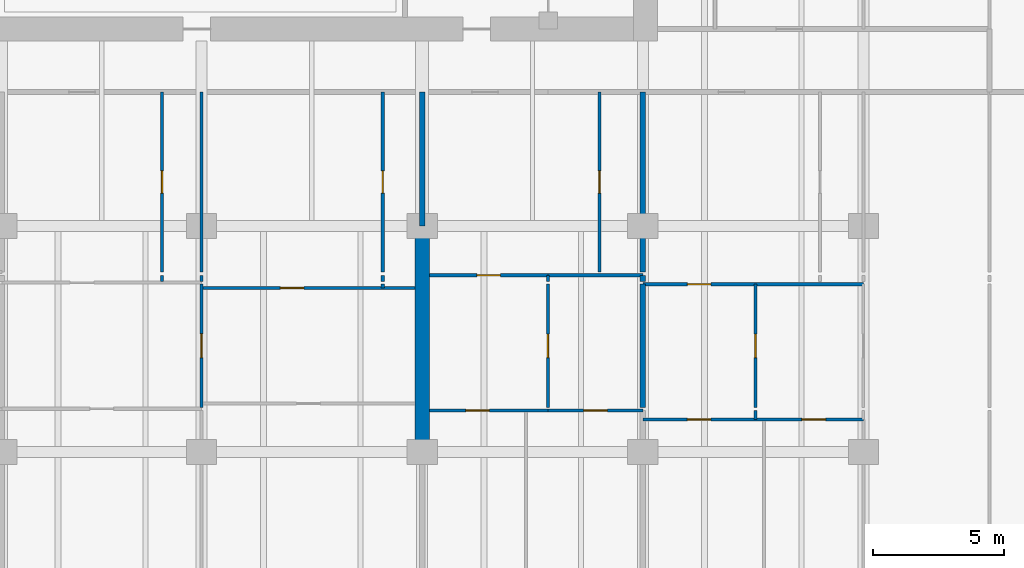
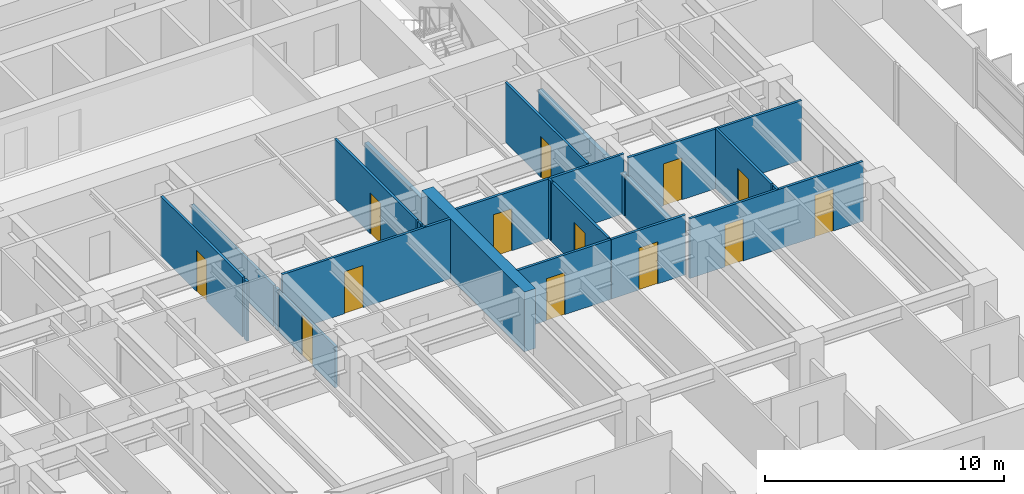
# One storey, part 9 of 17: 25 walls, 13 doors, 13 openings.
"""IFC4 building model written with IfcOpenShell, lengths in metres."""

from ifc_helpers import new_model, si_unit, direction, frame, frame_2d, origin, place, context, subcontext, project, spatial, rectangle, extrude, material, layer, layer_set, type_object, element, fill, save


model = new_model("IFC4")

# Units and contexts
model_context = context("Model", 3, precision=1e-05, world=origin(), true_north=direction((0.0, 1.0)))
body_context = subcontext(model_context, "Body", "Model", "MODEL_VIEW")
ifc_project = project(units=[si_unit("LENGTHUNIT", "METRE"), si_unit("AREAUNIT", "SQUARE_METRE"), si_unit("VOLUMEUNIT", "CUBIC_METRE"), si_unit("PLANEANGLEUNIT", "RADIAN"), si_unit("MASSUNIT", "GRAM", prefix="KILO")], contexts=[model_context])

# Site, building, storey
site_placement = place(None, origin())
site = spatial("IfcSite", under=ifc_project, at=site_placement, CompositionType="ELEMENT")
building_placement = place(site_placement, origin())
building = spatial("IfcBuilding", under=site, at=building_placement, Name="Caelmar Bay Residences", CompositionType="ELEMENT")
storey_placement = place(building_placement, frame((0.0, 0.0, 30.0)))
storey = spatial("IfcBuildingStorey", under=building, at=storey_placement, Name="L06", CompositionType="ELEMENT", Elevation=30.0)

# Walls
ifc_material_1 = material(Name="Concrete f'c 70 MPa (10,000 psi)", Category="concrete")
ifc_layer_1 = layer(ifc_material_1, 0.550048828125)
ifc_layer_set_1 = layer_set([ifc_layer_1], Name="Concrete f'c 70 MPa (10,000 psi)")
wall_type_1 = type_object("IfcWallType", Name="SW-XSLB-550", PredefinedType="SHEAR", material=ifc_layer_set_1)
wall_1_placement = place(storey_placement, frame((51.10009765625, 20.800048828125, 0.0), z_axis=(0.0, 0.0, 1.0), x_axis=(0.0, 1.0, 0.0)))
element("IfcWall", 1, at=wall_1_placement, inside=storey, type_object=wall_type_1, Name="L06 Transverse Cross-Slab Shear Wall E8", PredefinedType="SHEAR", context=body_context, shape_type="SweptSolid", body=[
    extrude(rectangle(XDim=8.599853515625, YDim=0.550048828125, at=frame_2d((4.2998046875, 0.0))), origin(), (0.0, 0.0, 1.0), 3.050048828125),
])
ifc_material_2 = material(Name="Acoustic metal-stud gypsum partition 120 mm")
ifc_layer_2 = layer(ifc_material_2, 0.1201171875)
ifc_layer_set_2 = layer_set([ifc_layer_2], Name="Acoustic metal-stud gypsum partition 120 mm")
wall_type_2 = type_object("IfcWallType", Name="W-PRT-120", PredefinedType="PARTITIONING", material=ifc_layer_set_2)
wall_2_placement = place(storey_placement, frame((41.199951171875, 27.280029296875, 0.0), z_axis=(0.0, 0.0, 1.0), x_axis=(0.0, 1.0, 0.0)))
element("IfcWall", 2, at=wall_2_placement, inside=storey, type_object=wall_type_2, Name="L06 Partition Wall V050", PredefinedType="PARTITIONING", context=body_context, shape_type="SweptSolid", body=[
    extrude(rectangle(XDim=0.239990234375, YDim=0.1201171875, at=frame_2d((0.1201171875, 0.0))), origin(), (0.0, 0.0, 1.0), 3.050048828125),
])

# Wall, opening, door
wall_3_placement = place(storey_placement, frame((41.199951171875, 27.639892578125, 0.0), z_axis=(0.0, 0.0, 1.0), x_axis=(0.0, 1.0, 0.0)))
wall_3 = element("IfcWall", 3, at=wall_3_placement, inside=storey, type_object=wall_type_2, Name="L06 Partition Wall V051", PredefinedType="PARTITIONING", context=body_context, shape_type="SweptSolid", body=[
    extrude(rectangle(XDim=6.860107421875, YDim=0.1201171875, at=frame_2d((3.43017578125, 0.0))), origin(), (0.0, 0.0, 1.0), 3.050048828125),
])
opening_1_placement = place(wall_3_placement, frame((3.0048828125, 0.0, 0.0)))
opening_1 = element("IfcOpeningElement", 4, at=opening_1_placement, cuts=wall_3, Name="Opening D-L06-142", PredefinedType="OPENING", context=body_context, shape_type="SweptSolid", body=[
    extrude(rectangle(XDim=0.85009765625, YDim=2.10009765625, at=frame_2d((0.425048828125, 1.050048828125))), frame((0.0, 0.070068359375, 0.0), z_axis=(0.0, -1.0, 0.0), x_axis=(1.0, 0.0, 0.0)), (0.0, 0.0, 1.0), 0.14013671875),
])
ifc_material_3 = material(Name="Solid walnut timber interior door leaf and frame", Category="wood")
ifc_layer_3 = layer(ifc_material_3, 0.050048828125)
ifc_layer_set_3 = layer_set([ifc_layer_3], Name="Solid walnut timber interior door leaf and frame")
door_type_1 = type_object("IfcDoorType", Name="D-BATH-850", OperationType="NOTDEFINED", PredefinedType="DOOR", material=ifc_layer_set_3)
door_1_placement = place(opening_1_placement, origin())
door_1 = element("IfcDoor", 5, at=door_1_placement, inside=storey, type_object=door_type_1, Name="L06 Residence 04 Guest Bathroom Door", OperationType="SINGLE_SWING_RIGHT", OverallHeight=2.10009765625, OverallWidth=0.85009765625, PredefinedType="DOOR", context=body_context, shape_type="SweptSolid", body=[
    extrude(rectangle(XDim=0.85009765625, YDim=2.10009765625, at=frame_2d((0.425048828125, 1.050048828125))), frame((0.0, 0.02490234375, 0.0), z_axis=(0.0, -1.0, 0.0), x_axis=(1.0, 0.0, 0.0)), (0.0, 0.0, 1.0), 0.050048828125),
])
fill(opening_1, door_1)

wall_4_placement = place(storey_placement, frame((42.699951171875, 22.489990234375, 0.0), z_axis=(0.0, 0.0, 1.0), x_axis=(0.0, 1.0, 0.0)))
wall_4 = element("IfcWall", 6, at=wall_4_placement, inside=storey, type_object=wall_type_2, Name="L06 Partition Wall V054", PredefinedType="PARTITIONING", context=body_context, shape_type="SweptSolid", body=[
    extrude(rectangle(XDim=4.68994140625, YDim=0.1201171875, at=frame_2d((2.344970703125, 0.0))), origin(), (0.0, 0.0, 1.0), 2.110107421875),
])
opening_2_placement = place(wall_4_placement, frame((1.89990234375, 0.0, 0.0)))
opening_2 = element("IfcOpeningElement", 7, at=opening_2_placement, cuts=wall_4, Name="Opening D-L06-145", PredefinedType="OPENING", context=body_context, shape_type="SweptSolid", body=[
    extrude(rectangle(XDim=0.89990234375, YDim=2.06005859375, at=frame_2d((0.449951171875, 1.030029296875))), frame((0.0, 0.070068359375, 0.0), z_axis=(0.0, -1.0, 0.0), x_axis=(1.0, 0.0, 0.0)), (0.0, 0.0, 1.0), 0.14013671875),
])
ifc_layer_4 = layer(ifc_material_3, 0.050048828125)
ifc_layer_set_4 = layer_set([ifc_layer_4], Name="Solid walnut timber interior door leaf and frame")
door_type_2 = type_object("IfcDoorType", Name="D-ROOM-900", OperationType="NOTDEFINED", PredefinedType="DOOR", material=ifc_layer_set_4)
door_2_placement = place(opening_2_placement, origin())
door_2 = element("IfcDoor", 8, at=door_2_placement, inside=storey, type_object=door_type_2, Name="L06 Residence 04 Family Room 1 Door", OperationType="SINGLE_SWING_LEFT", OverallHeight=2.06005859375, OverallWidth=0.89990234375, PredefinedType="DOOR", context=body_context, shape_type="SweptSolid", body=[
    extrude(rectangle(XDim=0.89990234375, YDim=2.06005859375, at=frame_2d((0.449951171875, 1.030029296875))), frame((0.0, 0.02490234375, 0.0), z_axis=(0.0, -1.0, 0.0), x_axis=(1.0, 0.0, 0.0)), (0.0, 0.0, 1.0), 0.050048828125),
])
fill(opening_2, door_2)

# Walls
wall_5_placement = place(storey_placement, frame((42.699951171875, 27.280029296875, 0.0), z_axis=(0.0, 0.0, 1.0), x_axis=(0.0, 1.0, 0.0)))
element("IfcWall", 9, at=wall_5_placement, inside=storey, type_object=wall_type_2, Name="L06 Partition Wall V055", PredefinedType="PARTITIONING", context=body_context, shape_type="SweptSolid", body=[
    extrude(rectangle(XDim=0.239990234375, YDim=0.1201171875, at=frame_2d((0.1201171875, 0.0))), origin(), (0.0, 0.0, 1.0), 2.110107421875),
])
wall_6_placement = place(storey_placement, frame((42.699951171875, 27.639892578125, 0.0), z_axis=(0.0, 0.0, 1.0), x_axis=(0.0, 1.0, 0.0)))
element("IfcWall", 10, at=wall_6_placement, inside=storey, type_object=wall_type_2, Name="L06 Partition Wall V056", PredefinedType="PARTITIONING", context=body_context, shape_type="SweptSolid", body=[
    extrude(rectangle(XDim=6.860107421875, YDim=0.1201171875, at=frame_2d((3.43017578125, 0.0))), origin(), (0.0, 0.0, 1.0), 2.110107421875),
])
wall_7_placement = place(storey_placement, frame((49.60009765625, 27.0400390625, 0.0), z_axis=(0.0, 0.0, 1.0), x_axis=(0.0, 1.0, 0.0)))
element("IfcWall", 11, at=wall_7_placement, inside=storey, type_object=wall_type_2, Name="L06 Partition Wall V060", PredefinedType="PARTITIONING", context=body_context, shape_type="SweptSolid", body=[
    extrude(rectangle(XDim=0.139892578125, YDim=0.1201171875, at=frame_2d((0.06982421875, 0.0))), origin(), (0.0, 0.0, 1.0), 3.050048828125),
])
wall_8_placement = place(storey_placement, frame((49.60009765625, 27.280029296875, 0.0), z_axis=(0.0, 0.0, 1.0), x_axis=(0.0, 1.0, 0.0)))
element("IfcWall", 12, at=wall_8_placement, inside=storey, type_object=wall_type_2, Name="L06 Partition Wall V061", PredefinedType="PARTITIONING", context=body_context, shape_type="SweptSolid", body=[
    extrude(rectangle(XDim=0.239990234375, YDim=0.1201171875, at=frame_2d((0.1201171875, 0.0))), origin(), (0.0, 0.0, 1.0), 3.050048828125),
])

# Wall, opening, door
wall_9_placement = place(storey_placement, frame((49.60009765625, 27.639892578125, 0.0), z_axis=(0.0, 0.0, 1.0), x_axis=(0.0, 1.0, 0.0)))
wall_9 = element("IfcWall", 13, at=wall_9_placement, inside=storey, type_object=wall_type_2, Name="L06 Partition Wall V062", PredefinedType="PARTITIONING", context=body_context, shape_type="SweptSolid", body=[
    extrude(rectangle(XDim=6.860107421875, YDim=0.1201171875, at=frame_2d((3.43017578125, 0.0))), origin(), (0.0, 0.0, 1.0), 3.050048828125),
])
opening_3_placement = place(wall_9_placement, frame((3.0048828125, 0.0, 0.0)))
opening_3 = element("IfcOpeningElement", 14, at=opening_3_placement, cuts=wall_9, Name="Opening D-L06-147", PredefinedType="OPENING", context=body_context, shape_type="SweptSolid", body=[
    extrude(rectangle(XDim=0.85009765625, YDim=2.10009765625, at=frame_2d((0.425048828125, 1.050048828125))), frame((0.0, 0.070068359375, 0.0), z_axis=(0.0, -1.0, 0.0), x_axis=(1.0, 0.0, 0.0)), (0.0, 0.0, 1.0), 0.14013671875),
])
door_3_placement = place(opening_3_placement, origin())
door_3 = element("IfcDoor", 15, at=door_3_placement, inside=storey, type_object=door_type_1, Name="L06 Residence 04 En-Suite Bathroom 1 Door", OperationType="SINGLE_SWING_LEFT", OverallHeight=2.10009765625, OverallWidth=0.85009765625, PredefinedType="DOOR", context=body_context, shape_type="SweptSolid", body=[
    extrude(rectangle(XDim=0.85009765625, YDim=2.10009765625, at=frame_2d((0.425048828125, 1.050048828125))), frame((0.0, 0.02490234375, 0.0), z_axis=(0.0, -1.0, 0.0), x_axis=(1.0, 0.0, 0.0)), (0.0, 0.0, 1.0), 0.050048828125),
])
fill(opening_3, door_3)

wall_10_placement = place(storey_placement, frame((55.885986328125, 22.489990234375, 0.0), z_axis=(0.0, 0.0, 1.0), x_axis=(0.0, 1.0, 0.0)))
wall_10 = element("IfcWall", 16, at=wall_10_placement, inside=storey, type_object=wall_type_2, Name="L06 Partition Wall V071", PredefinedType="PARTITIONING", context=body_context, shape_type="SweptSolid", body=[
    extrude(rectangle(XDim=4.68994140625, YDim=0.1201171875, at=frame_2d((2.344970703125, 0.0))), origin(), (0.0, 0.0, 1.0), 3.050048828125),
])
opening_4_placement = place(wall_10_placement, frame((1.89501953125, 0.0, 0.0)))
opening_4 = element("IfcOpeningElement", 17, at=opening_4_placement, cuts=wall_10, Name="Opening D-L06-153", PredefinedType="OPENING", context=body_context, shape_type="SweptSolid", body=[
    extrude(rectangle(XDim=0.89990234375, YDim=2.14990234375, at=frame_2d((0.449951171875, 1.074951171875))), frame((0.0, 0.070068359375, 0.0), z_axis=(0.0, -1.0, 0.0), x_axis=(1.0, 0.0, 0.0)), (0.0, 0.0, 1.0), 0.14013671875),
])
door_4_placement = place(opening_4_placement, origin())
door_4 = element("IfcDoor", 18, at=door_4_placement, inside=storey, type_object=door_type_2, Name="L06 Residence 05 Study Door", OperationType="SINGLE_SWING_LEFT", OverallHeight=2.14990234375, OverallWidth=0.89990234375, PredefinedType="DOOR", context=body_context, shape_type="SweptSolid", body=[
    extrude(rectangle(XDim=0.89990234375, YDim=2.14990234375, at=frame_2d((0.449951171875, 1.074951171875))), frame((0.0, 0.02490234375, 0.0), z_axis=(0.0, -1.0, 0.0), x_axis=(1.0, 0.0, 0.0)), (0.0, 0.0, 1.0), 0.050048828125),
])
fill(opening_4, door_4)

# Wall
wall_11_placement = place(storey_placement, frame((55.885986328125, 27.280029296875, 0.0), z_axis=(0.0, 0.0, 1.0), x_axis=(0.0, 1.0, 0.0)))
element("IfcWall", 19, at=wall_11_placement, inside=storey, type_object=wall_type_2, Name="L06 Partition Wall V072", PredefinedType="PARTITIONING", context=body_context, shape_type="SweptSolid", body=[
    extrude(rectangle(XDim=0.239990234375, YDim=0.1201171875, at=frame_2d((0.1201171875, 0.0))), origin(), (0.0, 0.0, 1.0), 3.050048828125),
])

# Wall, opening, door
wall_12_placement = place(storey_placement, frame((57.85009765625, 27.639892578125, 0.0), z_axis=(0.0, 0.0, 1.0), x_axis=(0.0, 1.0, 0.0)))
wall_12 = element("IfcWall", 20, at=wall_12_placement, inside=storey, type_object=wall_type_2, Name="L06 Partition Wall V074", PredefinedType="PARTITIONING", context=body_context, shape_type="SweptSolid", body=[
    extrude(rectangle(XDim=6.860107421875, YDim=0.1201171875, at=frame_2d((3.43017578125, 0.0))), origin(), (0.0, 0.0, 1.0), 3.050048828125),
])
opening_5_placement = place(wall_12_placement, frame((3.0048828125, 0.0, 0.0)))
opening_5 = element("IfcOpeningElement", 21, at=opening_5_placement, cuts=wall_12, Name="Opening D-L06-151", PredefinedType="OPENING", context=body_context, shape_type="SweptSolid", body=[
    extrude(rectangle(XDim=0.85009765625, YDim=2.10009765625, at=frame_2d((0.425048828125, 1.050048828125))), frame((0.0, 0.070068359375, 0.0), z_axis=(0.0, -1.0, 0.0), x_axis=(1.0, 0.0, 0.0)), (0.0, 0.0, 1.0), 0.14013671875),
])
door_5_placement = place(opening_5_placement, origin())
door_5 = element("IfcDoor", 22, at=door_5_placement, inside=storey, type_object=door_type_1, Name="L06 Residence 05 Bathroom Door", OperationType="SINGLE_SWING_LEFT", OverallHeight=2.10009765625, OverallWidth=0.85009765625, PredefinedType="DOOR", context=body_context, shape_type="SweptSolid", body=[
    extrude(rectangle(XDim=0.85009765625, YDim=2.10009765625, at=frame_2d((0.425048828125, 1.050048828125))), frame((0.0, 0.02490234375, 0.0), z_axis=(0.0, -1.0, 0.0), x_axis=(1.0, 0.0, 0.0)), (0.0, 0.0, 1.0), 0.050048828125),
])
fill(opening_5, door_5)

# Wall
wall_13_placement = place(storey_placement, frame((63.785888671875, 22.030029296875, 0.0), z_axis=(0.0, 0.0, 1.0), x_axis=(0.0, 1.0, 0.0)))
element("IfcWall", 23, at=wall_13_placement, inside=storey, type_object=wall_type_2, Name="L06 Partition Wall V081", PredefinedType="PARTITIONING", context=body_context, shape_type="SweptSolid", body=[
    extrude(rectangle(XDim=0.340087890625, YDim=0.1201171875, at=frame_2d((0.169921875, 0.0))), origin(), (0.0, 0.0, 1.0), 3.050048828125),
])

# Wall, opening, door
wall_14_placement = place(storey_placement, frame((63.785888671875, 22.489990234375, 0.0), z_axis=(0.0, 0.0, 1.0), x_axis=(0.0, 1.0, 0.0)))
wall_14 = element("IfcWall", 24, at=wall_14_placement, inside=storey, type_object=wall_type_2, Name="L06 Partition Wall V082", PredefinedType="PARTITIONING", context=body_context, shape_type="SweptSolid", body=[
    extrude(rectangle(XDim=4.68994140625, YDim=0.1201171875, at=frame_2d((2.344970703125, 0.0))), origin(), (0.0, 0.0, 1.0), 3.050048828125),
])
opening_6_placement = place(wall_14_placement, frame((1.89501953125, 0.0, 0.0)))
opening_6 = element("IfcOpeningElement", 25, at=opening_6_placement, cuts=wall_14, Name="Opening D-L06-160", PredefinedType="OPENING", context=body_context, shape_type="SweptSolid", body=[
    extrude(rectangle(XDim=0.89990234375, YDim=2.14990234375, at=frame_2d((0.449951171875, 1.074951171875))), frame((0.0, 0.070068359375, 0.0), z_axis=(0.0, -1.0, 0.0), x_axis=(1.0, 0.0, 0.0)), (0.0, 0.0, 1.0), 0.14013671875),
])
door_6_placement = place(opening_6_placement, origin())
door_6 = element("IfcDoor", 26, at=door_6_placement, inside=storey, type_object=door_type_2, Name="L06 Residence 06 Study Door", OperationType="SINGLE_SWING_RIGHT", OverallHeight=2.14990234375, OverallWidth=0.89990234375, PredefinedType="DOOR", context=body_context, shape_type="SweptSolid", body=[
    extrude(rectangle(XDim=0.89990234375, YDim=2.14990234375, at=frame_2d((0.449951171875, 1.074951171875))), frame((0.0, 0.02490234375, 0.0), z_axis=(0.0, -1.0, 0.0), x_axis=(1.0, 0.0, 0.0)), (0.0, 0.0, 1.0), 0.050048828125),
])
fill(opening_6, door_6)

# Wall, openings, doors
wall_15_placement = place(storey_placement, frame((59.5, 22.030029296875, 0.0), z_axis=(0.0, 0.0, 1.0), x_axis=(1.0, 0.0, 0.0)))
wall_15 = element("IfcWall", 27, at=wall_15_placement, inside=storey, type_object=wall_type_2, Name="L06 Partition Wall H107", PredefinedType="PARTITIONING", context=body_context, shape_type="SweptSolid", body=[
    extrude(rectangle(XDim=8.39990234375, YDim=0.1201171875, at=frame_2d((4.199951171875, 0.0))), origin(), (0.0, 0.0, 1.0), 3.050048828125),
])
opening_7_placement = place(wall_15_placement, frame((1.693115234375, 0.0, 0.0)))
opening_7 = element("IfcOpeningElement", 28, at=opening_7_placement, cuts=wall_15, Name="Opening D-L06-161", PredefinedType="OPENING", context=body_context, shape_type="SweptSolid", body=[
    extrude(rectangle(XDim=0.89990234375, YDim=2.14990234375, at=frame_2d((0.449951171875, 1.074951171875))), frame((0.0, 0.070068359375, 0.0), z_axis=(0.0, -1.0, 0.0), x_axis=(1.0, 0.0, 0.0)), (0.0, 0.0, 1.0), 0.14013671875),
])
opening_8_placement = place(wall_15_placement, frame((6.06005859375, 0.0, 0.0)))
opening_8 = element("IfcOpeningElement", 29, at=opening_8_placement, cuts=wall_15, Name="Opening D-L06-162", PredefinedType="OPENING", context=body_context, shape_type="SweptSolid", body=[
    extrude(rectangle(XDim=0.89990234375, YDim=2.14990234375, at=frame_2d((0.449951171875, 1.074951171875))), frame((0.0, 0.070068359375, 0.0), z_axis=(0.0, -1.0, 0.0), x_axis=(1.0, 0.0, 0.0)), (0.0, 0.0, 1.0), 0.14013671875),
])
door_7_placement = place(opening_7_placement, origin())
door_7 = element("IfcDoor", 30, at=door_7_placement, inside=storey, type_object=door_type_2, Name="L06 Residence 06 Penthouse Living Salon Door", OperationType="SINGLE_SWING_LEFT", OverallHeight=2.14990234375, OverallWidth=0.89990234375, PredefinedType="DOOR", context=body_context, shape_type="SweptSolid", body=[
    extrude(rectangle(XDim=0.89990234375, YDim=2.14990234375, at=frame_2d((0.449951171875, 1.074951171875))), frame((0.0, 0.02490234375, 0.0), z_axis=(0.0, -1.0, 0.0), x_axis=(1.0, 0.0, 0.0)), (0.0, 0.0, 1.0), 0.050048828125),
])
fill(opening_7, door_7)
door_8_placement = place(opening_8_placement, origin())
door_8 = element("IfcDoor", 31, at=door_8_placement, inside=storey, type_object=door_type_2, Name="L06 Residence 06 Penthouse Sitting Room Door", OperationType="SINGLE_SWING_RIGHT", OverallHeight=2.14990234375, OverallWidth=0.89990234375, PredefinedType="DOOR", context=body_context, shape_type="SweptSolid", body=[
    extrude(rectangle(XDim=0.89990234375, YDim=2.14990234375, at=frame_2d((0.449951171875, 1.074951171875))), frame((0.0, 0.02490234375, 0.0), z_axis=(0.0, -1.0, 0.0), x_axis=(1.0, 0.0, 0.0)), (0.0, 0.0, 1.0), 0.050048828125),
])
fill(opening_8, door_8)

# Wall, opening, door
wall_16_placement = place(storey_placement, frame((51.3701171875, 22.3701171875, 0.0), z_axis=(0.0, 0.0, 1.0), x_axis=(1.0, 0.0, 0.0)))
wall_16 = element("IfcWall", 32, at=wall_16_placement, inside=storey, type_object=wall_type_2, Name="L06 Partition Wall H109", PredefinedType="PARTITIONING", context=body_context, shape_type="SweptSolid", body=[
    extrude(rectangle(XDim=4.515869140625, YDim=0.1201171875, at=frame_2d((2.2578125, 0.0))), origin(), (0.0, 0.0, 1.0), 3.050048828125),
])
opening_9_placement = place(wall_16_placement, frame((1.388916015625, 0.0, 0.0)))
opening_9 = element("IfcOpeningElement", 33, at=opening_9_placement, cuts=wall_16, Name="Opening D-L06-154", PredefinedType="OPENING", context=body_context, shape_type="SweptSolid", body=[
    extrude(rectangle(XDim=0.89990234375, YDim=2.14990234375, at=frame_2d((0.449951171875, 1.074951171875))), frame((0.0, 0.070068359375, 0.0), z_axis=(0.0, -1.0, 0.0), x_axis=(1.0, 0.0, 0.0)), (0.0, 0.0, 1.0), 0.14013671875),
])
door_9_placement = place(opening_9_placement, origin())
door_9 = element("IfcDoor", 34, at=door_9_placement, inside=storey, type_object=door_type_2, Name="L06 Residence 05 Living Room Door", OperationType="SINGLE_SWING_RIGHT", OverallHeight=2.14990234375, OverallWidth=0.89990234375, PredefinedType="DOOR", context=body_context, shape_type="SweptSolid", body=[
    extrude(rectangle(XDim=0.89990234375, YDim=2.14990234375, at=frame_2d((0.449951171875, 1.074951171875))), frame((0.0, 0.02490234375, 0.0), z_axis=(0.0, -1.0, 0.0), x_axis=(1.0, 0.0, 0.0)), (0.0, 0.0, 1.0), 0.050048828125),
])
fill(opening_9, door_9)

wall_17_placement = place(storey_placement, frame((55.89990234375, 22.3701171875, 0.0), z_axis=(0.0, 0.0, 1.0), x_axis=(1.0, 0.0, 0.0)))
wall_17 = element("IfcWall", 35, at=wall_17_placement, inside=storey, type_object=wall_type_2, Name="L06 Partition Wall H110", PredefinedType="PARTITIONING", context=body_context, shape_type="SweptSolid", body=[
    extrude(rectangle(XDim=3.60009765625, YDim=0.1201171875, at=frame_2d((1.800048828125, 0.0))), origin(), (0.0, 0.0, 1.0), 3.050048828125),
])
opening_10_placement = place(wall_17_placement, frame((1.35009765625, 0.0, 0.0)))
opening_10 = element("IfcOpeningElement", 36, at=opening_10_placement, cuts=wall_17, Name="Opening D-L06-155", PredefinedType="OPENING", context=body_context, shape_type="SweptSolid", body=[
    extrude(rectangle(XDim=0.89990234375, YDim=2.14990234375, at=frame_2d((0.449951171875, 1.074951171875))), frame((0.0, 0.070068359375, 0.0), z_axis=(0.0, -1.0, 0.0), x_axis=(1.0, 0.0, 0.0)), (0.0, 0.0, 1.0), 0.14013671875),
])
door_10_placement = place(opening_10_placement, origin())
door_10 = element("IfcDoor", 37, at=door_10_placement, inside=storey, type_object=door_type_2, Name="L06 Residence 05 Penthouse Sitting Room Door", OperationType="SINGLE_SWING_LEFT", OverallHeight=2.14990234375, OverallWidth=0.89990234375, PredefinedType="DOOR", context=body_context, shape_type="SweptSolid", body=[
    extrude(rectangle(XDim=0.89990234375, YDim=2.14990234375, at=frame_2d((0.449951171875, 1.074951171875))), frame((0.0, 0.02490234375, 0.0), z_axis=(0.0, -1.0, 0.0), x_axis=(1.0, 0.0, 0.0)), (0.0, 0.0, 1.0), 0.050048828125),
])
fill(opening_10, door_10)

wall_18_placement = place(storey_placement, frame((42.699951171875, 27.0400390625, 0.0), z_axis=(0.0, 0.0, 1.0), x_axis=(1.0, 0.0, 0.0)))
wall_18 = element("IfcWall", 38, at=wall_18_placement, inside=storey, type_object=wall_type_2, Name="L06 Partition Wall H115", PredefinedType="PARTITIONING", context=body_context, shape_type="SweptSolid", body=[
    extrude(rectangle(XDim=8.130126953125, YDim=0.1201171875, at=frame_2d((4.06494140625, 0.0))), origin(), (0.0, 0.0, 1.0), 3.050048828125),
])
opening_11_placement = place(wall_18_placement, frame((3.0, 0.0, 0.0)))
opening_11 = element("IfcOpeningElement", 39, at=opening_11_placement, cuts=wall_18, Name="Opening D-L06-146", PredefinedType="OPENING", context=body_context, shape_type="SweptSolid", body=[
    extrude(rectangle(XDim=0.89990234375, YDim=2.14990234375, at=frame_2d((0.449951171875, 1.074951171875))), frame((0.0, 0.070068359375, 0.0), z_axis=(0.0, -1.0, 0.0), x_axis=(1.0, 0.0, 0.0)), (0.0, 0.0, 1.0), 0.14013671875),
])
door_11_placement = place(opening_11_placement, origin())
door_11 = element("IfcDoor", 40, at=door_11_placement, inside=storey, type_object=door_type_2, Name="L06 Residence 04 Sitting Room 1 Door", OperationType="SINGLE_SWING_RIGHT", OverallHeight=2.14990234375, OverallWidth=0.89990234375, PredefinedType="DOOR", context=body_context, shape_type="SweptSolid", body=[
    extrude(rectangle(XDim=0.89990234375, YDim=2.14990234375, at=frame_2d((0.449951171875, 1.074951171875))), frame((0.0, 0.02490234375, 0.0), z_axis=(0.0, -1.0, 0.0), x_axis=(1.0, 0.0, 0.0)), (0.0, 0.0, 1.0), 0.050048828125),
])
fill(opening_11, door_11)

wall_19_placement = place(storey_placement, frame((59.5, 27.179931640625, 0.0), z_axis=(0.0, 0.0, 1.0), x_axis=(1.0, 0.0, 0.0)))
wall_19 = element("IfcWall", 41, at=wall_19_placement, inside=storey, type_object=wall_type_2, Name="L06 Partition Wall H116", PredefinedType="PARTITIONING", context=body_context, shape_type="SweptSolid", body=[
    extrude(rectangle(XDim=8.39990234375, YDim=0.1201171875, at=frame_2d((4.199951171875, 0.0))), origin(), (0.0, 0.0, 1.0), 3.050048828125),
])
opening_12_placement = place(wall_19_placement, frame((1.693115234375, 0.0, 0.0)))
opening_12 = element("IfcOpeningElement", 42, at=opening_12_placement, cuts=wall_19, Name="Opening D-L06-159", PredefinedType="OPENING", context=body_context, shape_type="SweptSolid", body=[
    extrude(rectangle(XDim=0.89990234375, YDim=2.14990234375, at=frame_2d((0.449951171875, 1.074951171875))), frame((0.0, 0.070068359375, 0.0), z_axis=(0.0, -1.0, 0.0), x_axis=(1.0, 0.0, 0.0)), (0.0, 0.0, 1.0), 0.14013671875),
])
door_12_placement = place(opening_12_placement, origin())
door_12 = element("IfcDoor", 43, at=door_12_placement, inside=storey, type_object=door_type_2, Name="L06 Residence 06 Kitchen Door", OperationType="SINGLE_SWING_LEFT", OverallHeight=2.14990234375, OverallWidth=0.89990234375, PredefinedType="DOOR", context=body_context, shape_type="SweptSolid", body=[
    extrude(rectangle(XDim=0.89990234375, YDim=2.14990234375, at=frame_2d((0.449951171875, 1.074951171875))), frame((0.0, 0.02490234375, 0.0), z_axis=(0.0, -1.0, 0.0), x_axis=(1.0, 0.0, 0.0)), (0.0, 0.0, 1.0), 0.050048828125),
])
fill(opening_12, door_12)

wall_20_placement = place(storey_placement, frame((51.3701171875, 27.52001953125, 0.0), z_axis=(0.0, 0.0, 1.0), x_axis=(1.0, 0.0, 0.0)))
wall_20 = element("IfcWall", 44, at=wall_20_placement, inside=storey, type_object=wall_type_2, Name="L06 Partition Wall H119", PredefinedType="PARTITIONING", context=body_context, shape_type="SweptSolid", body=[
    extrude(rectangle(XDim=4.515869140625, YDim=0.1201171875, at=frame_2d((2.2578125, 0.0))), origin(), (0.0, 0.0, 1.0), 3.050048828125),
])
opening_13_placement = place(wall_20_placement, frame((1.80810546875, 0.0, 0.0)))
opening_13 = element("IfcOpeningElement", 45, at=opening_13_placement, cuts=wall_20, Name="Opening D-L06-152", PredefinedType="OPENING", context=body_context, shape_type="SweptSolid", body=[
    extrude(rectangle(XDim=0.89990234375, YDim=2.14990234375, at=frame_2d((0.449951171875, 1.074951171875))), frame((0.0, 0.070068359375, 0.0), z_axis=(0.0, -1.0, 0.0), x_axis=(1.0, 0.0, 0.0)), (0.0, 0.0, 1.0), 0.14013671875),
])
door_13_placement = place(opening_13_placement, origin())
door_13 = element("IfcDoor", 46, at=door_13_placement, inside=storey, type_object=door_type_2, Name="L06 Residence 05 Kitchen Door", OperationType="SINGLE_SWING_RIGHT", OverallHeight=2.14990234375, OverallWidth=0.89990234375, PredefinedType="DOOR", context=body_context, shape_type="SweptSolid", body=[
    extrude(rectangle(XDim=0.89990234375, YDim=2.14990234375, at=frame_2d((0.449951171875, 1.074951171875))), frame((0.0, 0.02490234375, 0.0), z_axis=(0.0, -1.0, 0.0), x_axis=(1.0, 0.0, 0.0)), (0.0, 0.0, 1.0), 0.050048828125),
])
fill(opening_13, door_13)

# Walls
wall_21_placement = place(storey_placement, frame((55.89990234375, 27.52001953125, 0.0), z_axis=(0.0, 0.0, 1.0), x_axis=(1.0, 0.0, 0.0)))
element("IfcWall", 47, at=wall_21_placement, inside=storey, type_object=wall_type_2, Name="L06 Partition Wall H120", PredefinedType="PARTITIONING", context=body_context, shape_type="SweptSolid", body=[
    extrude(rectangle(XDim=3.60009765625, YDim=0.1201171875, at=frame_2d((1.800048828125, 0.0))), origin(), (0.0, 0.0, 1.0), 3.050048828125),
])
ifc_material_4 = material(Name="Acoustic twin-stud fire-rated inter-tenancy partition 200 mm")
ifc_layer_5 = layer(ifc_material_4, 0.199951171875)
ifc_layer_set_5 = layer_set([ifc_layer_5], Name="Acoustic twin-stud fire-rated inter-tenancy partition 200 mm")
wall_type_3 = type_object("IfcWallType", Name="W-PTY-200", PredefinedType="PARTITIONING", material=ifc_layer_set_5)
wall_22_placement = place(storey_placement, frame((51.10009765625, 29.405029296875, 0.0), z_axis=(0.0, 0.0, 1.0), x_axis=(0.0, 1.0, 0.0)))
element("IfcWall", 48, at=wall_22_placement, inside=storey, type_object=wall_type_3, Name="L06 Partition Wall V067", PredefinedType="PARTITIONING", context=body_context, shape_type="SweptSolid", body=[
    extrude(rectangle(XDim=5.094970703125, YDim=0.199951171875, at=frame_2d((2.54736328125, 0.0))), origin(), (0.0, 0.0, 1.0), 2.3349609375),
])
wall_23_placement = place(storey_placement, frame((59.5, 22.489990234375, 0.0), z_axis=(0.0, 0.0, 1.0), x_axis=(0.0, 1.0, 0.0)))
element("IfcWall", 49, at=wall_23_placement, inside=storey, type_object=wall_type_3, Name="L06 Partition Wall V077", PredefinedType="PARTITIONING", context=body_context, shape_type="SweptSolid", body=[
    extrude(rectangle(XDim=4.68994140625, YDim=0.199951171875, at=frame_2d((2.344970703125, 0.0))), origin(), (0.0, 0.0, 1.0), 2.110107421875),
])
wall_24_placement = place(storey_placement, frame((59.5, 27.280029296875, 0.0), z_axis=(0.0, 0.0, 1.0), x_axis=(0.0, 1.0, 0.0)))
element("IfcWall", 50, at=wall_24_placement, inside=storey, type_object=wall_type_3, Name="L06 Partition Wall V078", PredefinedType="PARTITIONING", context=body_context, shape_type="SweptSolid", body=[
    extrude(rectangle(XDim=0.239990234375, YDim=0.199951171875, at=frame_2d((0.1201171875, 0.0))), origin(), (0.0, 0.0, 1.0), 2.110107421875),
])
wall_25_placement = place(storey_placement, frame((59.5, 27.639892578125, 0.0), z_axis=(0.0, 0.0, 1.0), x_axis=(0.0, 1.0, 0.0)))
element("IfcWall", 51, at=wall_25_placement, inside=storey, type_object=wall_type_3, Name="L06 Partition Wall V079", PredefinedType="PARTITIONING", context=body_context, shape_type="SweptSolid", body=[
    extrude(rectangle(XDim=6.860107421875, YDim=0.199951171875, at=frame_2d((3.43017578125, 0.0))), origin(), (0.0, 0.0, 1.0), 2.110107421875),
])

save(model, "model.ifc")
